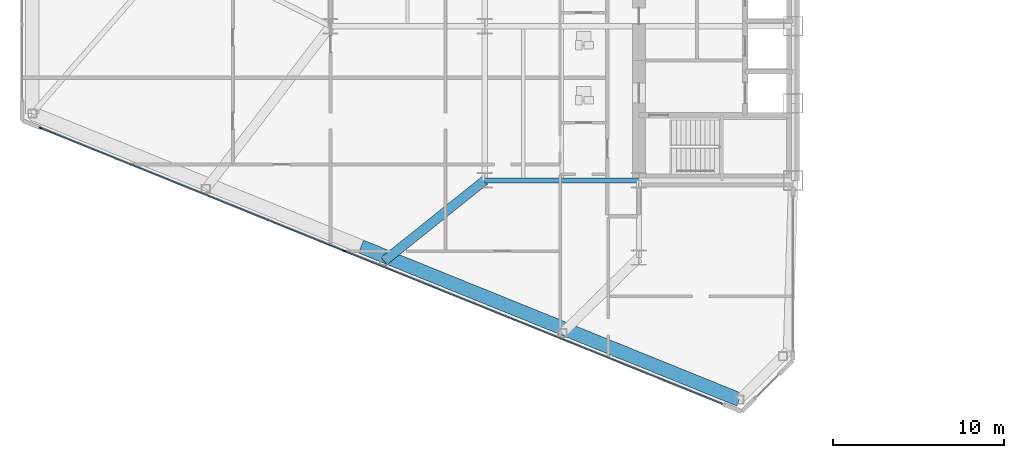
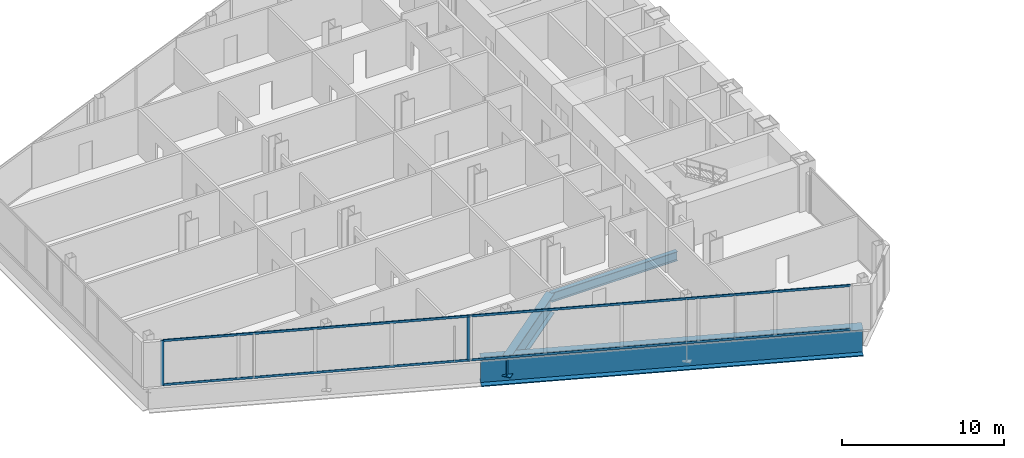
# One storey, part 4 of 26: 4 members, 3 beams, 1 element without a shape of its own.
"""IFC4 building model written with IfcOpenShell, lengths in metres."""

from ifc_helpers import new_model, si_unit, direction, frame, origin, origin_2d, place, context, subcontext, project, spatial, rectangle, i_section, extrude, source, transform, mapped, material, layer, layer_set, material_profile, profile_set, type_object, type_shapes, element, aggregate, save


model = new_model("IFC4")

# Units and contexts
model_context = context("Model", 3, precision=1e-05, world=origin(), true_north=direction((0.0, 1.0)))
body_context = subcontext(model_context, "Body", "Model", "MODEL_VIEW")
ifc_project = project(units=[si_unit("LENGTHUNIT", "METRE"), si_unit("AREAUNIT", "SQUARE_METRE"), si_unit("VOLUMEUNIT", "CUBIC_METRE"), si_unit("PLANEANGLEUNIT", "RADIAN"), si_unit("MASSUNIT", "GRAM", prefix="KILO")], contexts=[model_context])

# Site, building, storey
site_placement = place(None, origin())
site = spatial("IfcSite", under=ifc_project, at=site_placement, CompositionType="ELEMENT")
building_placement = place(site_placement, origin())
building = spatial("IfcBuilding", under=site, at=building_placement, Name="Seokmaru Belvedere", CompositionType="ELEMENT")
storey_placement = place(building_placement, frame((0.0, 0.0, 18.89990234375)))
storey = spatial("IfcBuildingStorey", under=building, at=storey_placement, Name="L04", CompositionType="ELEMENT", Elevation=18.89990234375)

# Beams
ifc_material_1 = material(Name="Steel SM355 (355 MPa)", Category="steel")
ifc_material_profile_1 = material_profile(ifc_material_1, i_section(OverallWidth=0.300048828125, OverallDepth=0.699951171875, WebThickness=0.012939453125, FlangeThickness=0.02392578125, at=origin_2d()), Name="H-700x300x13x24")
ifc_profile_set_1 = profile_set([ifc_material_profile_1], Name="Steel SM355 (355 MPa)")
beam_type_1 = type_object("IfcBeamType", Name="Primary Floor Girder H-700", PredefinedType="BEAM", material=ifc_profile_set_1)
shared_shape_1 = source(origin(), body_context, "Body", "SweptSolid", [
    extrude(i_section(OverallWidth=0.300048828125, OverallDepth=0.699951171875, WebThickness=0.012939453125, FlangeThickness=0.02392578125, at=origin_2d()), origin(), (0.0, 0.0, 1.0), 9.0),
])
type_shapes(beam_type_1, [shared_shape_1])
beam_1_placement = place(storey_placement, frame((-45.5, -13.5, -0.56982421875), z_axis=(1.0, 0.0, 0.0), x_axis=(0.0, 1.0, 0.0)))
element("IfcBeam", 1, at=beam_1_placement, inside=storey, type_object=beam_type_1, Name="L04 W Wing Primary Girder 1", PredefinedType="BEAM", context=body_context, shape_type="MappedRepresentation", body=[
    mapped(shared_shape_1, transform((0.0, 0.0, 0.0), scale=1.0)),
])
ifc_material_2 = material(Name="Steel HSA650 (650 MPa)", Category="steel")
ifc_material_profile_2 = material_profile(ifc_material_2, i_section(OverallWidth=0.800048828125, OverallDepth=2.0, WebThickness=0.0400390625, FlangeThickness=0.070068359375, at=origin_2d()), Name="BH-2000x800x40x70")
ifc_profile_set_2 = profile_set([ifc_material_profile_2], Name="Steel HSA650 (650 MPa)")
beam_type_2 = type_object("IfcBeamType", Name="Sky-Gate Transfer Truss Chord Girder BH-2000", PredefinedType="BEAM", material=ifc_profile_set_2)
shared_shape_2 = source(origin(), body_context, "Body", "SweptSolid", [
    extrude(i_section(OverallWidth=0.800048828125, OverallDepth=2.0, WebThickness=0.0400390625, FlangeThickness=0.070068359375, at=origin_2d()), origin(), (0.0, 0.0, 1.0), 23.811767578125),
])
type_shapes(beam_type_2, [shared_shape_2])
beam_2_placement = place(storey_placement, frame((-30.643310546875, -26.294677734375, -1.219970703125), z_axis=(-0.92694579442, 0.375195274766, 0.0), x_axis=(-0.375195274766, -0.92694579442, 0.0)))
element("IfcBeam", 2, at=beam_2_placement, inside=storey, type_object=beam_type_2, Name="L04 W Podium Flank Transfer Girder S-A", PredefinedType="BEAM", context=body_context, shape_type="MappedRepresentation", body=[
    mapped(shared_shape_2, transform((0.0, 0.0, 0.0), scale=1.0)),
])
ifc_material_profile_3 = material_profile(ifc_material_2, i_section(OverallWidth=0.550048828125, OverallDepth=1.5, WebThickness=0.028076171875, FlangeThickness=0.044921875, at=origin_2d()), Name="BH-1500x550x28x45")
ifc_profile_set_3 = profile_set([ifc_material_profile_3], Name="Steel HSA650 (650 MPa)")
beam_type_3 = type_object("IfcBeamType", Name="Setback Transfer Girder BH-1500", PredefinedType="BEAM", material=ifc_profile_set_3)
shared_shape_3 = source(origin(), body_context, "Body", "SweptSolid", [
    extrude(i_section(OverallWidth=0.550048828125, OverallDepth=1.5, WebThickness=0.028076171875, FlangeThickness=0.044921875, at=origin_2d()), origin(), (0.0, 0.0, 1.0), 7.52880859375),
])
type_shapes(beam_type_3, [shared_shape_3])
beam_3_placement = place(storey_placement, frame((-51.378173828125, -18.2041015625, -0.969970703125), z_axis=(0.780767560736, 0.624821587418, 0.0), x_axis=(-0.624821587418, 0.780767560736, 0.0)))
element("IfcBeam", 3, at=beam_3_placement, inside=storey, type_object=beam_type_3, Name="L04 W Flank Radial Floor Girder S-2", PredefinedType="BEAM", context=body_context, shape_type="MappedRepresentation", body=[
    mapped(shared_shape_3, transform((0.0, 0.0, 0.0), scale=1.0)),
])

# Curtain wall, members
ifc_material_3 = material(Name="Bronze Triple Insulating Glass", Category="glass")
ifc_layer = layer(ifc_material_3, 0.2099609375)
ifc_layer_set = layer_set([ifc_layer], Name="Bronze Triple Insulating Glass")
curtain_wall_type = type_object("IfcCurtainWallType", Name="Low-Rise Faceted Crystal Curtain Wall System CW-2", PredefinedType="NOTDEFINED", material=ifc_layer_set)
curtain_wall_placement = place(storey_placement, origin())
curtain_wall = element("IfcCurtainWall", 4, at=curtain_wall_placement, inside=storey, type_object=curtain_wall_type, Name="L04 Curtain Wall WF5", PredefinedType="NOTDEFINED")
ifc_material_4 = material(Name="Anodised Bronze Aluminium", Category="aluminium")
ifc_material_profile_4 = material_profile(ifc_material_4, rectangle(XDim=0.074951171875, YDim=0.2099609375, at=origin_2d()), Name="CW-M-75x210")
ifc_profile_set_4 = profile_set([ifc_material_profile_4], Name="Anodised Bronze Aluminium")
member_type_1 = type_object("IfcMemberType", Name="Bronze Unitised Mullion 75x210", PredefinedType="MULLION", material=ifc_profile_set_4)
shared_shape_4 = source(origin(), body_context, "Body", "SweptSolid", [
    extrude(rectangle(XDim=0.074951171875, YDim=0.2099609375, at=origin_2d()), origin(), (0.0, 0.0, 1.0), 3.380126953125),
])
member_1_placement = place(storey_placement, frame((-71.399169921875, -10.445556640625, 0.0), z_axis=(0.0, 0.0, 1.0), x_axis=(0.375192321888, 0.926946989637, 0.0)))
member_1 = element("IfcMember", 5, at=member_1_placement, type_object=member_type_1, Name="CW:L04:WF5 Mullion 1", PredefinedType="MULLION", context=body_context, shape_type="MappedRepresentation", body=[
    mapped(shared_shape_4, transform((0.0, 0.0, 0.0), scale=1.0)),
])
shared_shape_5 = source(origin(), body_context, "Body", "SweptSolid", [
    extrude(rectangle(XDim=0.074951171875, YDim=0.2099609375, at=origin_2d()), origin(), (0.0, 0.0, 1.0), 3.239990234375),
])
type_shapes(member_type_1, [shared_shape_4, shared_shape_5])
member_2_placement = place(storey_placement, frame((-53.71484375, -17.603515625, 0.070068359375), z_axis=(0.0, 0.0, 1.0), x_axis=(0.375192321888, 0.926946989637, 0.0)))
member_2 = element("IfcMember", 6, at=member_2_placement, type_object=member_type_1, Name="CW:L04:WF5 Mullion 5", PredefinedType="MULLION", context=body_context, shape_type="MappedRepresentation", body=[
    mapped(shared_shape_5, transform((0.0, 0.0, 0.0), scale=1.0)),
])
ifc_material_profile_5 = material_profile(ifc_material_4, rectangle(XDim=0.070068359375, YDim=0.1650390625, at=origin_2d()), Name="CW-T-70x165")
ifc_profile_set_5 = profile_set([ifc_material_profile_5], Name="Anodised Bronze Aluminium")
member_type_2 = type_object("IfcMemberType", Name="Bronze Unitised Transom 70x165", PredefinedType="USERDEFINED", material=ifc_profile_set_5)
shared_shape_6 = source(origin(), body_context, "Body", "SweptSolid", [
    extrude(rectangle(XDim=0.070068359375, YDim=0.1650390625, at=origin_2d()), origin(), (0.0, 0.0, 1.0), 42.860107421875),
])
type_shapes(member_type_2, [shared_shape_6])
member_3_placement = place(storey_placement, frame((-71.364501953125, -10.459716796875, 0.03515625), z_axis=(0.926948605599, -0.375188329481, 0.0), x_axis=(0.375188329481, 0.926948605599, 0.0)))
member_3 = element("IfcMember", 7, at=member_3_placement, type_object=member_type_2, Name="CW:L04:WF5 Continuous Transom 1", ObjectType="TRANSOM", PredefinedType="USERDEFINED", context=body_context, shape_type="MappedRepresentation", body=[
    mapped(shared_shape_6, transform((0.0, 0.0, 0.0), scale=1.0)),
])
member_4_placement = place(storey_placement, frame((-71.364501953125, -10.459716796875, 3.34521484375), z_axis=(0.926948605599, -0.375188329481, 0.0), x_axis=(0.375188329481, 0.926948605599, 0.0)))
member_4 = element("IfcMember", 8, at=member_4_placement, type_object=member_type_2, Name="CW:L04:WF5 Continuous Transom 2", ObjectType="TRANSOM", PredefinedType="USERDEFINED", context=body_context, shape_type="MappedRepresentation", body=[
    mapped(shared_shape_6, transform((0.0, 0.0, 0.0), scale=1.0)),
])
aggregate(curtain_wall, [member_1, member_2, member_3, member_4])

save(model, "model.ifc")
